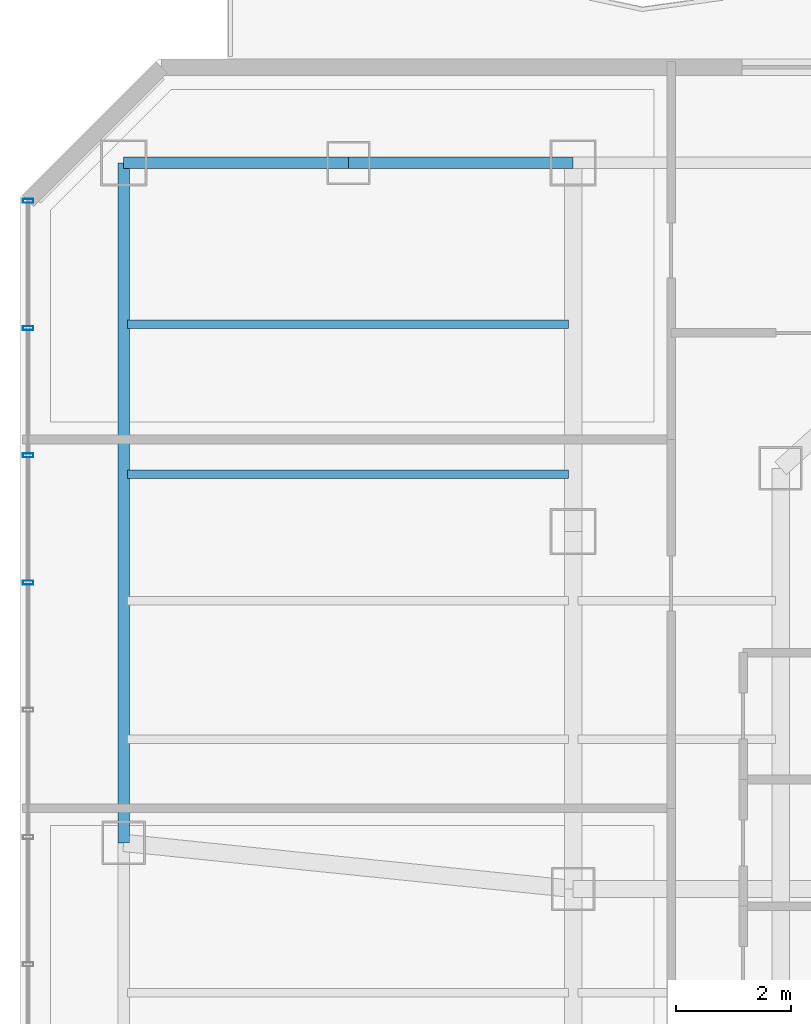
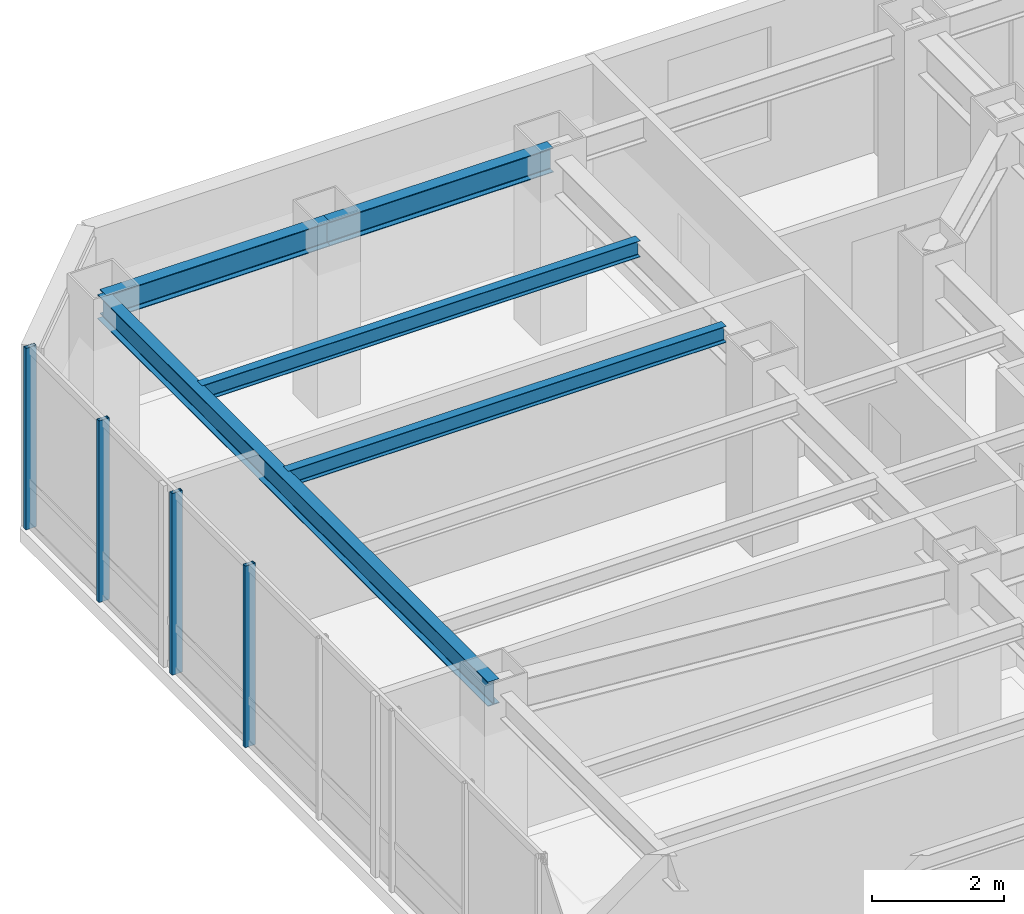
# One storey, part 17 of 27: 5 beams, 4 members, 1 element without a shape of its own.
"""IFC4 building model written with IfcOpenShell, lengths in metres."""

import ifcopenshell
import ifcopenshell.guid

model = None  # the IFC model being written
_history = None  # IfcOwnerHistory: only IFC2X3 demands one
_inside = {}  # id of a spatial element -> (the spatial element, [elements in it])
_under = {}  # id of a project, library or spatial element -> (it, [spatial elements below it])
_declared = {}  # id of a project -> (the project, [libraries it declares])
_typed = {}  # id of a type object -> (the type object, [elements of that type])
_made_of = {}  # id of a material, layer set ... -> (it, [elements and type objects made of it])


def new_model(schema):
    """Start an empty IFC model of exactly this schema.

    Asked for "IFC4X3", IfcOpenShell would pick the latest addendum, in which some entities
    have other attributes; the version numbers below select the first issue.
    IFC2X3 requires an IfcOwnerHistory on every rooted entity: one is made here for all.
    """
    global model, _history
    if schema == "IFC4X3":
        model = ifcopenshell.file(schema_version=(4, 3, 0, 0))
    else:
        model = ifcopenshell.file(schema=schema)
    _inside.clear()
    _under.clear()
    _declared.clear()
    _typed.clear()
    _made_of.clear()
    _history = None
    if model.schema == "IFC2X3":
        org = make("IfcOrganization", Name="unknown")
        user = make(
            "IfcPersonAndOrganization",
            ThePerson=make("IfcPerson", FamilyName="unknown"),
            TheOrganization=org,
        )
        app = make(
            "IfcApplication",
            ApplicationDeveloper=org,
            Version="unknown",
            ApplicationFullName="unknown",
            ApplicationIdentifier="unknown",
        )
        _history = make(
            "IfcOwnerHistory",
            OwningUser=user,
            OwningApplication=app,
            ChangeAction="ADDED",
            CreationDate=0,
        )
    return model


def make(cls, **values):
    """One entity of the class cls with the attributes given. An attribute that is None is left unset."""
    return model.create_entity(
        cls, **{name: value for name, value in values.items() if value is not None}
    )


def rooted(cls, **values):
    """An entity with a GlobalId (a new one), such as an element, a storey or a relation."""
    return make(cls, GlobalId=ifcopenshell.guid.new(), OwnerHistory=_history, **values)


def si_unit(unit_type, name, prefix=None):
    """IfcSIUnit, for example si_unit("LENGTHUNIT", "METRE", prefix="MILLI")."""
    return make("IfcSIUnit", UnitType=unit_type, Prefix=prefix, Name=name)


def assignment(units):
    """IfcUnitAssignment: the units of a project."""
    return None if units is None else make("IfcUnitAssignment", Units=units)


def point(xyz):
    """IfcCartesianPoint."""
    return None if xyz is None else make("IfcCartesianPoint", Coordinates=xyz)


def direction(xyz):
    """IfcDirection."""
    return None if xyz is None else make("IfcDirection", DirectionRatios=xyz)


def frame(location, z_axis=None, x_axis=None):
    """IfcAxis2Placement3D, a coordinate frame: its origin and axes. An axis left out is left unset."""
    return make(
        "IfcAxis2Placement3D",
        Location=point(location),
        Axis=direction(z_axis),
        RefDirection=direction(x_axis),
    )


def frame_2d(location, x_axis=None):
    """IfcAxis2Placement2D, a coordinate frame in the plane: its origin and x axis."""
    return make(
        "IfcAxis2Placement2D", Location=point(location), RefDirection=direction(x_axis)
    )


def origin():
    """The frame at (0, 0, 0) with its axes left unset."""
    return frame((0.0, 0.0, 0.0))


def origin_2d():
    """The frame at (0, 0) in the plane with its x axis left unset."""
    return frame_2d((0.0, 0.0))


def place(relative_to, where):
    """IfcLocalPlacement: puts the frame where relative to a parent placement (None: the world)."""
    return make(
        "IfcLocalPlacement", PlacementRelTo=relative_to, RelativePlacement=where
    )


def context(
    kind, dimensions, precision=None, world=None, true_north=None, identifier=None
):
    """IfcGeometricRepresentationContext, for example the 3D "Model" context."""
    return make(
        "IfcGeometricRepresentationContext",
        ContextIdentifier=identifier,
        ContextType=kind,
        CoordinateSpaceDimension=dimensions,
        Precision=precision,
        WorldCoordinateSystem=world,
        TrueNorth=true_north,
    )


def subcontext(parent, identifier, kind, view, scale=None):
    """IfcGeometricRepresentationSubContext, for example "Body" below "Model"."""
    return make(
        "IfcGeometricRepresentationSubContext",
        ContextIdentifier=identifier,
        ContextType=kind,
        ParentContext=parent,
        TargetScale=scale,
        TargetView=view,
    )


def project(units=None, contexts=None):
    """IfcProject with its units and contexts."""
    return rooted(
        "IfcProject",
        Name="project",
        RepresentationContexts=contexts,
        UnitsInContext=assignment(units),
    )


def spatial(cls, under=None, at=None, **own):
    """A site, building, storey or space (cls), placed at a placement, below another one or the project."""
    s = rooted(cls, ObjectPlacement=at, **own)
    if under is not None:
        _under.setdefault(under.id(), (under, []))[1].append(s)
    return s


def profile(cls, at=None, kind="AREA", **sizes):
    """A parametric profile (cls). Its sizes go by their IFC names, for example OverallWidth=200.0."""
    return make(cls, ProfileType=kind, Position=at, **sizes)


def hollow_rectangle(**sizes):
    """IfcRectangleHollowProfileDef."""
    return profile("IfcRectangleHollowProfileDef", **sizes)


def i_section(**sizes):
    """IfcIShapeProfileDef."""
    return profile("IfcIShapeProfileDef", **sizes)


def extrude(swept, where, along, depth):
    """IfcExtrudedAreaSolid: the profile swept, set in the frame where, extruded along a direction by depth."""
    return make(
        "IfcExtrudedAreaSolid",
        SweptArea=swept,
        Position=where,
        ExtrudedDirection=direction(along),
        Depth=depth,
    )


def shape(context_of_items, identifier, shape_type, items):
    """IfcShapeRepresentation: the items that make up one representation, for example the "Body"."""
    return make(
        "IfcShapeRepresentation",
        ContextOfItems=context_of_items,
        RepresentationIdentifier=identifier,
        RepresentationType=shape_type,
        Items=items,
    )


def material(Name=None, Category=None):
    """IfcMaterial."""
    return make("IfcMaterial", Name=Name, Category=Category)


def layer(
    of_material, thickness, ventilated=None, Name=None, Category=None, Priority=None
):
    """IfcMaterialLayer: one layer of a wall or slab, of a material (None: an air gap)."""
    return make(
        "IfcMaterialLayer",
        Material=of_material,
        LayerThickness=thickness,
        IsVentilated=ventilated,
        Name=Name,
        Category=Category,
        Priority=Priority,
    )


def layer_set(layers, Name=None):
    """IfcMaterialLayerSet."""
    return make("IfcMaterialLayerSet", MaterialLayers=layers, LayerSetName=Name)


def material_profile(
    of_material, cross_section, Name=None, Category=None, Priority=None
):
    """IfcMaterialProfile: a cross section and its material."""
    return make(
        "IfcMaterialProfile",
        Name=Name,
        Material=of_material,
        Profile=cross_section,
        Priority=Priority,
        Category=Category,
    )


def profile_set(profiles, Name=None, composite=None):
    """IfcMaterialProfileSet."""
    return make(
        "IfcMaterialProfileSet",
        Name=Name,
        MaterialProfiles=profiles,
        CompositeProfile=composite,
    )


def made_of(thing, what):
    """Note that an element or type object is made of a material, layer set ...; save() writes the relation."""
    if what is not None:
        _made_of.setdefault(what.id(), (what, []))[1].append(thing)
    return thing


def type_object(cls, material=None, **own):
    """A type object (cls), such as IfcWallType, which elements share."""
    return made_of(rooted(cls, **own), material)


def element(
    cls,
    number,
    at=None,
    inside=None,
    cuts=None,
    type_object=None,
    material=None,
    context=None,
    identifier="Body",
    shape_type=None,
    held_by="IfcProductDefinitionShape",
    body=None,
    shapes=None,
    **own,
):
    """One element of the class cls, such as IfcWall. Its Tag is "e" and its number.

    at: its placement. inside: the storey or other place that contains it. cuts: it is an
    opening in that element (IfcRelVoidsElement). A single representation is given by context,
    identifier, shape_type and body (its items); several are given by shapes. held_by: the class
    of the entity that holds the representations. save() writes the other relations.
    """
    e = rooted(cls, Tag="e%d" % number, ObjectPlacement=at, **own)
    if body is not None:
        shapes = [shape(context, identifier, shape_type, body)]
    if shapes is not None:
        e.Representation = make(held_by, Representations=shapes)
    if inside is not None:
        _inside.setdefault(inside.id(), (inside, []))[1].append(e)
    if cuts is not None:
        rooted(
            "IfcRelVoidsElement", RelatingBuildingElement=cuts, RelatedOpeningElement=e
        )
    if type_object is not None:
        _typed.setdefault(type_object.id(), (type_object, []))[1].append(e)
    return made_of(e, material)


def aggregate(whole, parts):
    """IfcRelAggregates: a whole, such as a stair, and the parts it consists of."""
    return rooted("IfcRelAggregates", RelatingObject=whole, RelatedObjects=parts)


def save(model, path):
    """Write the relations noted so far, then the file.

    IfcRelAggregates (storeys below a building ...), IfcRelContainedInSpatialStructure (elements
    in a storey), IfcRelDefinesByType, IfcRelAssociatesMaterial and IfcRelDeclares: one each for
    every whole, place, type object, material and project.
    """
    for whole, parts in _under.values():
        aggregate(whole, parts)
    for where, things in _inside.values():
        rooted(
            "IfcRelContainedInSpatialStructure",
            RelatedElements=things,
            RelatingStructure=where,
        )
    for kind, things in _typed.values():
        rooted("IfcRelDefinesByType", RelatedObjects=things, RelatingType=kind)
    for what, things in _made_of.values():
        rooted("IfcRelAssociatesMaterial", RelatedObjects=things, RelatingMaterial=what)
    for by, libraries in _declared.values():
        rooted("IfcRelDeclares", RelatingContext=by, RelatedDefinitions=libraries)
    model.write(path)


model = new_model("IFC4")

# Units and contexts
model_context = context("Model", 3, precision=1e-05, world=origin(), true_north=direction((0.0, 1.0)))
body_context = subcontext(model_context, "Body", "Model", "MODEL_VIEW")
ifc_project = project(units=[si_unit("LENGTHUNIT", "METRE"), si_unit("AREAUNIT", "SQUARE_METRE"), si_unit("VOLUMEUNIT", "CUBIC_METRE"), si_unit("PLANEANGLEUNIT", "RADIAN"), si_unit("MASSUNIT", "GRAM", prefix="KILO")], contexts=[model_context])

# Site, building, storey
site_placement = place(None, origin())
site = spatial("IfcSite", under=ifc_project, at=site_placement, CompositionType="ELEMENT")
building_placement = place(site_placement, origin())
building = spatial("IfcBuilding", under=site, at=building_placement, Name="Hatsunagi Terrace Concourse", CompositionType="ELEMENT")
storey_placement = place(building_placement, frame((0.0, 0.0, 163.64990234375)))
storey = spatial("IfcBuildingStorey", under=building, at=storey_placement, Name="L43", CompositionType="ELEMENT", Elevation=163.64990234375)

# Curtain wall, members
ifc_material_1 = material(Name="Anodised Aluminium Alloy 6063-T5", Category="aluminium")
ifc_layer = layer(ifc_material_1, 0.199951171875)
ifc_layer_set = layer_set([ifc_layer], Name="OfficeZone1_CW03")
curtain_wall_type = type_object("IfcCurtainWallType", Name="OfficeZone1_CW03", PredefinedType="NOTDEFINED", material=ifc_layer_set)
curtain_wall_placement = place(storey_placement, origin())
curtain_wall = element("IfcCurtainWall", 1, at=curtain_wall_placement, inside=storey, type_object=curtain_wall_type, Name="Unitised Curtain Wall CW-03 CW-L43-09", PredefinedType="NOTDEFINED")
ifc_material_2 = material(Name="Anodised Aluminium Alloy 6063-T5", Category="aluminium")
ifc_material_profile_1 = material_profile(ifc_material_2, hollow_rectangle(XDim=0.070068359375, YDim=0.179931640625, WallThickness=0.00390625, at=origin_2d()), Name="ALU-MUL-180x70x4")
ifc_profile_set_1 = profile_set([ifc_material_profile_1], Name="Anodised Aluminium Alloy 6063-T5")
member_type = type_object("IfcMemberType", Name="CurtainWallMullion_180x70", PredefinedType="MULLION", material=ifc_profile_set_1)
member_1_placement = place(storey_placement, frame((9.739990234375, 41.31689453125, 0.0), z_axis=(0.0, 0.0, 1.0), x_axis=(0.0, 1.0, 0.0)))
member_1 = element("IfcMember", 2, at=member_1_placement, type_object=member_type, Name="Curtain Wall Mullion MUL-02", PredefinedType="MULLION", context=body_context, shape_type="SweptSolid", body=[
    extrude(hollow_rectangle(XDim=0.070068359375, YDim=0.179931640625, WallThickness=0.00390625, at=origin_2d()), origin(), (0.0, 0.0, 1.0), 3.35009765625),
])
member_2_placement = place(storey_placement, frame((9.739990234375, 43.52490234375, 0.0), z_axis=(0.0, 0.0, 1.0), x_axis=(0.0, 1.0, 0.0)))
member_2 = element("IfcMember", 3, at=member_2_placement, type_object=member_type, Name="Curtain Wall Mullion MUL-02", PredefinedType="MULLION", context=body_context, shape_type="SweptSolid", body=[
    extrude(hollow_rectangle(XDim=0.070068359375, YDim=0.179931640625, WallThickness=0.00390625, at=origin_2d()), origin(), (0.0, 0.0, 1.0), 3.35009765625),
])
member_3_placement = place(storey_placement, frame((9.739990234375, 45.73388671875, 0.0), z_axis=(0.0, 0.0, 1.0), x_axis=(0.0, 1.0, 0.0)))
member_3 = element("IfcMember", 4, at=member_3_placement, type_object=member_type, Name="Curtain Wall Mullion MUL-02", PredefinedType="MULLION", context=body_context, shape_type="SweptSolid", body=[
    extrude(hollow_rectangle(XDim=0.070068359375, YDim=0.179931640625, WallThickness=0.00390625, at=origin_2d()), origin(), (0.0, 0.0, 1.0), 3.35009765625),
])
member_4_placement = place(storey_placement, frame((9.739990234375, 47.94189453125, 0.0), z_axis=(0.0, 0.0, 1.0), x_axis=(0.0, 1.0, 0.0)))
member_4 = element("IfcMember", 5, at=member_4_placement, type_object=member_type, Name="Curtain Wall Mullion MUL-02", PredefinedType="MULLION", context=body_context, shape_type="SweptSolid", body=[
    extrude(hollow_rectangle(XDim=0.070068359375, YDim=0.179931640625, WallThickness=0.00390625, at=origin_2d()), origin(), (0.0, 0.0, 1.0), 3.35009765625),
])
aggregate(curtain_wall, [member_1, member_2, member_3, member_4])

# Beams
ifc_material_3 = material(Name="Steel SN490B", Category="steel")
ifc_material_profile_2 = material_profile(ifc_material_3, i_section(OverallWidth=0.14990234375, OverallDepth=0.300048828125, WebThickness=0.006591796875, FlangeThickness=0.009033203125, FilletRadius=0.010986328125, at=origin_2d()), Name="H-300x150x6.5x9")
ifc_profile_set_2 = profile_set([ifc_material_profile_2], Name="Steel SN490B")
beam_type_1 = type_object("IfcBeamType", Name="OfficeJoist_H_300x150", PredefinedType="JOIST", material=ifc_profile_set_2)
for number, where, z_axis, x_axis, name in (
    (6, (11.465087890625, 43.199951171875, 3.2001953125), (1.0, 0.0, 0.0), (0.0, 1.0, 0.0), "Beam J-03 J-L43-W-11-432"),
    (7, (11.465087890625, 45.800048828125, 3.2001953125), (1.0, 0.0, 0.0), (0.0, 1.0, 0.0), "Beam J-03 J-L43-W-11-458"),
):
    element("IfcBeam", number, at=place(storey_placement, frame(where, z_axis=z_axis, x_axis=x_axis)), inside=storey, type_object=beam_type_1, Name=name, PredefinedType="JOIST", context=body_context, shape_type="SweptSolid", body=[
        extrude(i_section(OverallWidth=0.14990234375, OverallDepth=0.300048828125, WebThickness=0.006591796875, FlangeThickness=0.009033203125, FilletRadius=0.010986328125, at=origin_2d()), origin(), (0.0, 0.0, 1.0), 7.64990234375),
    ])
ifc_material_4 = material(Name="Steel SN490B", Category="steel")
ifc_material_profile_3 = material_profile(ifc_material_4, i_section(OverallWidth=0.199951171875, OverallDepth=0.449951171875, WebThickness=0.009033203125, FlangeThickness=0.013916015625, FilletRadius=0.01611328125, at=origin_2d()), Name="H-450x200x9x14")
ifc_profile_set_3 = profile_set([ifc_material_profile_3], Name="Steel SN490B")
beam_type_2 = type_object("IfcBeamType", Name="PerimeterSpandrel_H_450x200", PredefinedType="SPANDREL", material=ifc_profile_set_3)
beam_1_placement = place(storey_placement, frame((11.39990234375, 48.60009765625, 3.125), z_axis=(1.0, 0.0, 0.0), x_axis=(0.0, 1.0, 0.0)))
element("IfcBeam", 8, at=beam_1_placement, inside=storey, type_object=beam_type_2, Name="Beam SP-02 BM-L43-WN-11", PredefinedType="SPANDREL", context=body_context, shape_type="SweptSolid", body=[
    extrude(i_section(OverallWidth=0.199951171875, OverallDepth=0.449951171875, WebThickness=0.009033203125, FlangeThickness=0.013916015625, FilletRadius=0.01611328125, at=origin_2d()), origin(), (0.0, 0.0, 1.0), 3.900146484375),
])
beam_2_placement = place(storey_placement, frame((15.300048828125, 48.60009765625, 3.125), z_axis=(1.0, 0.0, 0.0), x_axis=(0.0, 1.0, 0.0)))
element("IfcBeam", 9, at=beam_2_placement, inside=storey, type_object=beam_type_2, Name="Beam SP-02 BM-L43-WN-15", PredefinedType="SPANDREL", context=body_context, shape_type="SweptSolid", body=[
    extrude(i_section(OverallWidth=0.199951171875, OverallDepth=0.449951171875, WebThickness=0.009033203125, FlangeThickness=0.013916015625, FilletRadius=0.01611328125, at=origin_2d()), origin(), (0.0, 0.0, 1.0), 3.89990234375),
])
beam_3_placement = place(storey_placement, frame((11.39990234375, 36.800048828125, 3.125), z_axis=(0.0, 1.0, 0.0), x_axis=(-1.0, 0.0, 0.0)))
element("IfcBeam", 10, at=beam_3_placement, inside=storey, type_object=beam_type_2, Name="Beam SP-02 BM-L43-NS-11-36", PredefinedType="SPANDREL", context=body_context, shape_type="SweptSolid", body=[
    extrude(i_section(OverallWidth=0.199951171875, OverallDepth=0.449951171875, WebThickness=0.009033203125, FlangeThickness=0.013916015625, FilletRadius=0.01611328125, at=origin_2d()), origin(), (0.0, 0.0, 1.0), 11.800048828125),
])

save(model, "model.ifc")
